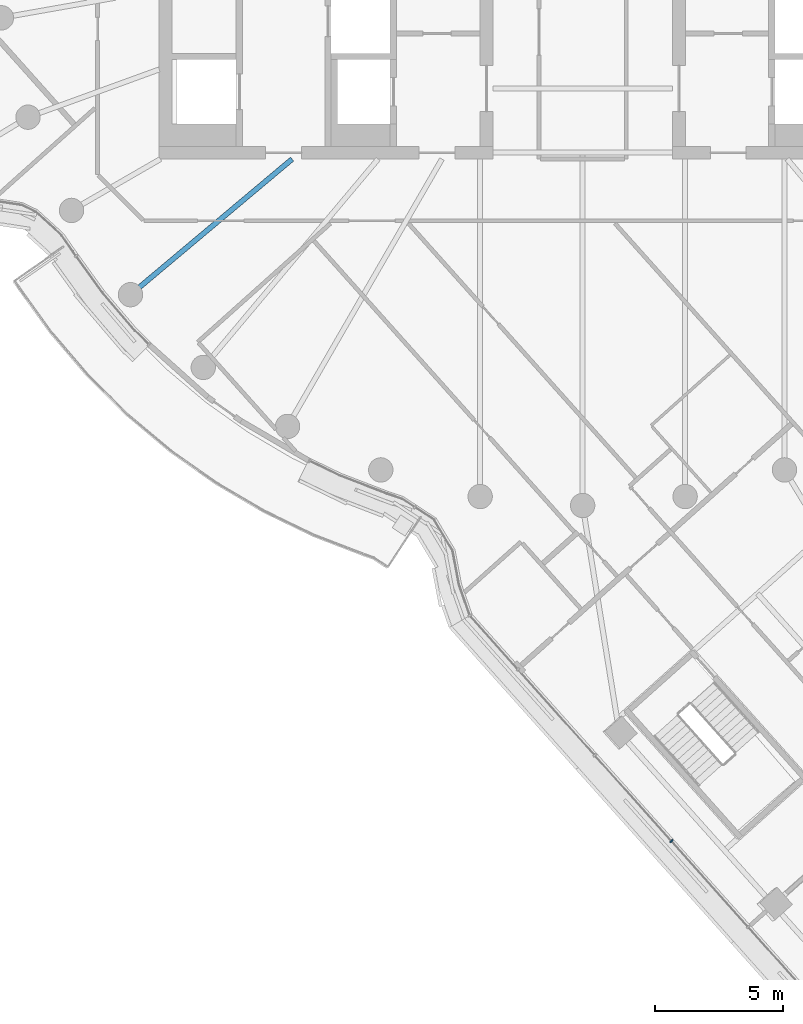
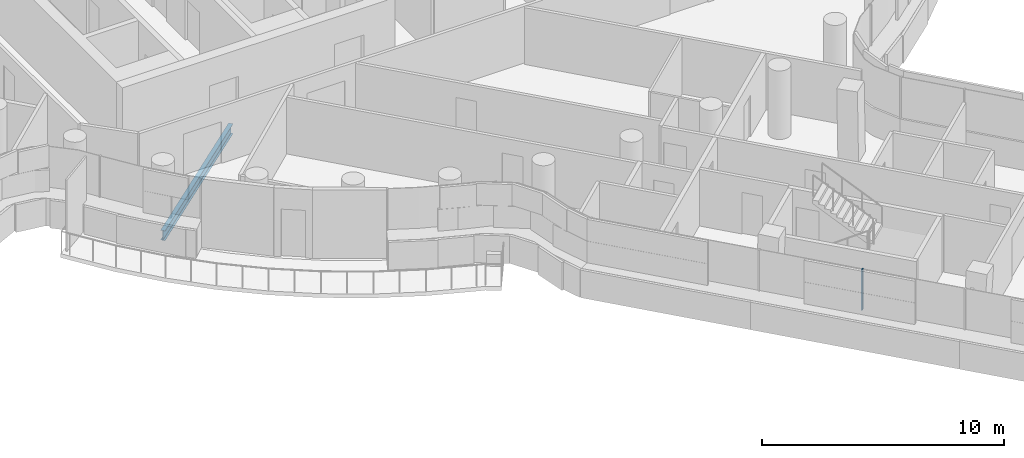
# One storey, part 3 of 33: 1 beam, 1 member, 1 element without a shape of its own.
"""IFC4 building model written with IfcOpenShell, lengths in metres."""

from ifc_helpers import new_model, si_unit, direction, frame, origin, origin_2d, place, context, subcontext, project, spatial, rectangle, i_section, extrude, material, layer, layer_set, material_profile, profile_set, type_object, element, aggregate, save


model = new_model("IFC4")

# Units and contexts
model_context = context("Model", 3, precision=1e-05, world=origin(), true_north=direction((0.0, 1.0)))
body_context = subcontext(model_context, "Body", "Model", "MODEL_VIEW")
ifc_project = project(units=[si_unit("LENGTHUNIT", "METRE"), si_unit("AREAUNIT", "SQUARE_METRE"), si_unit("VOLUMEUNIT", "CUBIC_METRE"), si_unit("PLANEANGLEUNIT", "RADIAN"), si_unit("MASSUNIT", "GRAM", prefix="KILO")], contexts=[model_context])

# Site, building, storey
site_placement = place(None, origin())
site = spatial("IfcSite", under=ifc_project, at=site_placement, CompositionType="ELEMENT")
building_placement = place(site_placement, origin())
building = spatial("IfcBuilding", under=site, at=building_placement, Name="Tamarind Cross Interchange Tower", CompositionType="ELEMENT")
storey_placement = place(building_placement, frame((0.0, 0.0, 186.10009765625)))
storey = spatial("IfcBuildingStorey", under=building, at=storey_placement, Name="L46", CompositionType="ELEMENT", Elevation=186.10009765625)

# Beam
ifc_material_1 = material(Name="Steel Q355B", Category="steel")
ifc_material_profile_1 = material_profile(ifc_material_1, i_section(OverallWidth=0.198974609375, OverallDepth=0.49609375, WebThickness=0.009033203125, FlangeThickness=0.013916015625, FilletRadius=0.012939453125, at=origin_2d()), Name="HN 496x199x9x14")
ifc_profile_set_1 = profile_set([ifc_material_profile_1], Name="Steel Q355B")
beam_type = type_object("IfcBeamType", Name="Composite beam HN 496x199x9x14 Q355B", PredefinedType="BEAM", material=ifc_profile_set_1)
beam_placement = place(storey_placement, frame((-17.619140625, -14.7841796875, -0.38818359375), z_axis=(0.766040580814, 0.642792212574, 0.0), x_axis=(-0.642792212574, 0.766040580814, 0.0)))
element("IfcBeam", 1, at=beam_placement, inside=storey, type_object=beam_type, Name="Beam HH22", PredefinedType="BEAM", context=body_context, shape_type="SweptSolid", body=[
    extrude(i_section(OverallWidth=0.198974609375, OverallDepth=0.49609375, WebThickness=0.009033203125, FlangeThickness=0.013916015625, FilletRadius=0.012939453125, at=origin_2d()), origin(), (0.0, 0.0, 1.0), 8.220703125),
])

# Curtain wall, member
ifc_material_2 = material(Name="Aluminium 6063-T6", Category="aluminium")
ifc_layer = layer(ifc_material_2, 0.139892578125)
ifc_layer_set = layer_set([ifc_layer], Name="Aluminium 6063-T6")
curtain_wall_type = type_object("IfcCurtainWallType", Name="Hotel curtain wall, 4.5 m bays", PredefinedType="NOTDEFINED", material=ifc_layer_set)
curtain_wall_placement = place(storey_placement, origin())
curtain_wall = element("IfcCurtainWall", 2, at=curtain_wall_placement, inside=storey, type_object=curtain_wall_type, Name="CWS-L46-03", PredefinedType="NOTDEFINED")
ifc_material_profile_2 = material_profile(ifc_material_2, rectangle(XDim=0.06005859375, YDim=0.139892578125, at=origin_2d()), Name="Mullion CW2")
ifc_profile_set_2 = profile_set([ifc_material_profile_2], Name="Aluminium 6063-T6")
member_type = type_object("IfcMemberType", Name="Mullion CW2", PredefinedType="MULLION", material=ifc_profile_set_2)
member_placement = place(storey_placement, frame((3.463134765625, -36.078125, 1.39990234375), z_axis=(0.0, 0.0, 1.0), x_axis=(0.666428375667, -0.745569057905, 0.0)))
member = element("IfcMember", 3, at=member_placement, type_object=member_type, Name="CWM-L46-03-03", PredefinedType="MULLION", context=body_context, shape_type="SweptSolid", body=[
    extrude(rectangle(XDim=0.06005859375, YDim=0.139892578125, at=origin_2d()), origin(), (0.0, 0.0, 1.0), 2.06005859375),
])
aggregate(curtain_wall, [member])

save(model, "model.ifc")
